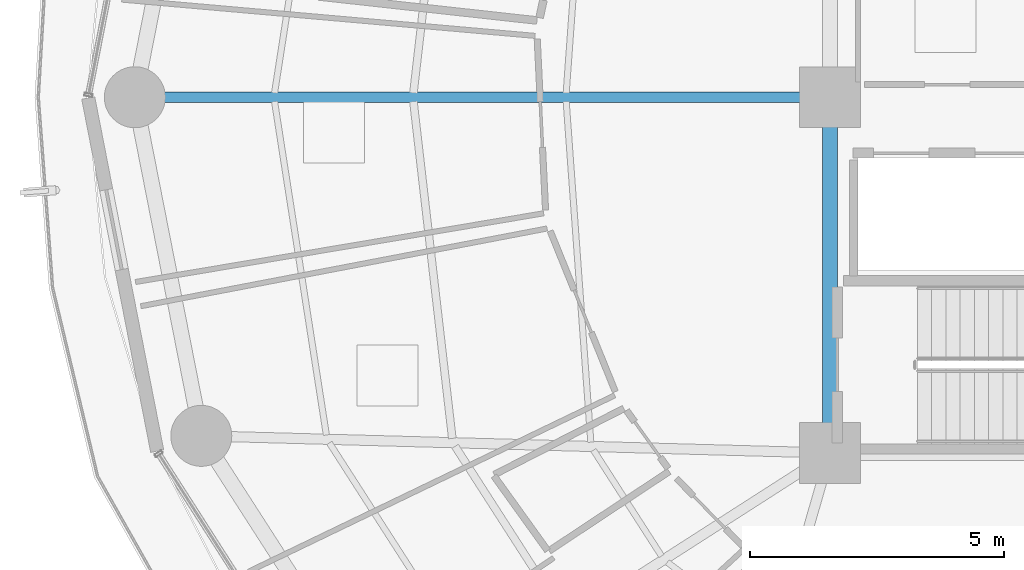
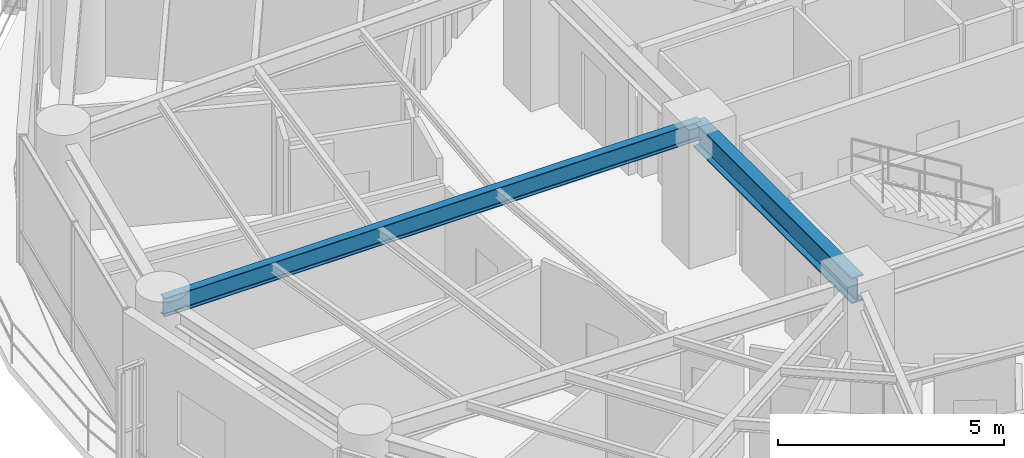
# One storey, part 7 of 27: 2 beams.
"""IFC4 building model written with IfcOpenShell, lengths in metres."""

from ifc_helpers import new_model, si_unit, direction, frame, origin, origin_2d, place, context, subcontext, project, spatial, i_section, extrude, material, material_profile, profile_set, type_object, element, save


model = new_model("IFC4")

# Units and contexts
model_context = context("Model", 3, precision=1e-05, world=origin(), true_north=direction((0.0, 1.0)))
body_context = subcontext(model_context, "Body", "Model", "MODEL_VIEW")
ifc_project = project(units=[si_unit("LENGTHUNIT", "METRE"), si_unit("AREAUNIT", "SQUARE_METRE"), si_unit("VOLUMEUNIT", "CUBIC_METRE"), si_unit("PLANEANGLEUNIT", "RADIAN"), si_unit("MASSUNIT", "GRAM", prefix="KILO")], contexts=[model_context])

# Site, building, storey
site_placement = place(None, origin())
site = spatial("IfcSite", under=ifc_project, at=site_placement, CompositionType="ELEMENT")
building_placement = place(site_placement, origin())
building = spatial("IfcBuilding", under=site, at=building_placement, Name="Kelanora Arch Commons", CompositionType="ELEMENT")
storey_placement = place(building_placement, frame((0.0, 0.0, 165.60009765625)))
storey = spatial("IfcBuildingStorey", under=building, at=storey_placement, Name="L42", CompositionType="ELEMENT", Elevation=165.60009765625)

# Beams
ifc_material = material(Name="Steel S355", Category="steel")
ifc_material_profile_1 = material_profile(ifc_material, i_section(OverallWidth=0.300048828125, OverallDepth=0.699951171875, WebThickness=0.01708984375, FlangeThickness=0.031982421875, FilletRadius=0.027099609375, at=origin_2d()), Name="HEB700")
ifc_profile_set_1 = profile_set([ifc_material_profile_1], Name="Steel S355")
beam_type_1 = type_object("IfcBeamType", Name="BM-CORE-HDR", PredefinedType="BEAM", material=ifc_profile_set_1)
beam_1_placement = place(storey_placement, frame((66.0, 58.0, 3.139892578125), z_axis=(0.0, -1.0, 0.0), x_axis=(1.0, 0.0, 0.0)))
element("IfcBeam", 1, at=beam_1_placement, inside=storey, type_object=beam_type_1, Name="Core Header Beam 09 L42", PredefinedType="BEAM", context=body_context, shape_type="SweptSolid", body=[
    extrude(i_section(OverallWidth=0.300048828125, OverallDepth=0.699951171875, WebThickness=0.01708984375, FlangeThickness=0.031982421875, FilletRadius=0.027099609375, at=origin_2d()), origin(), (0.0, 0.0, 1.0), 7.0),
])
ifc_material_profile_2 = material_profile(ifc_material, i_section(OverallWidth=0.199951171875, OverallDepth=0.5, WebThickness=0.01025390625, FlangeThickness=0.01611328125, FilletRadius=0.02099609375, at=origin_2d()), Name="IPE500")
ifc_profile_set_2 = profile_set([ifc_material_profile_2], Name="Steel S355")
beam_type_2 = type_object("IfcBeamType", Name="BM-RAD-Z3", PredefinedType="BEAM", material=ifc_profile_set_2)
beam_2_placement = place(storey_placement, frame((66.0, 58.0, 3.239990234375), z_axis=(-1.0, 0.0, 0.0), x_axis=(0.0, -1.0, 0.0)))
element("IfcBeam", 2, at=beam_2_placement, inside=storey, type_object=beam_type_2, Name="Radial Floor Girder BR-18 L42", PredefinedType="BEAM", context=body_context, shape_type="SweptSolid", body=[
    extrude(i_section(OverallWidth=0.199951171875, OverallDepth=0.5, WebThickness=0.01025390625, FlangeThickness=0.01611328125, FilletRadius=0.02099609375, at=origin_2d()), origin(), (0.0, 0.0, 1.0), 13.679931640625),
])

save(model, "model.ifc")
